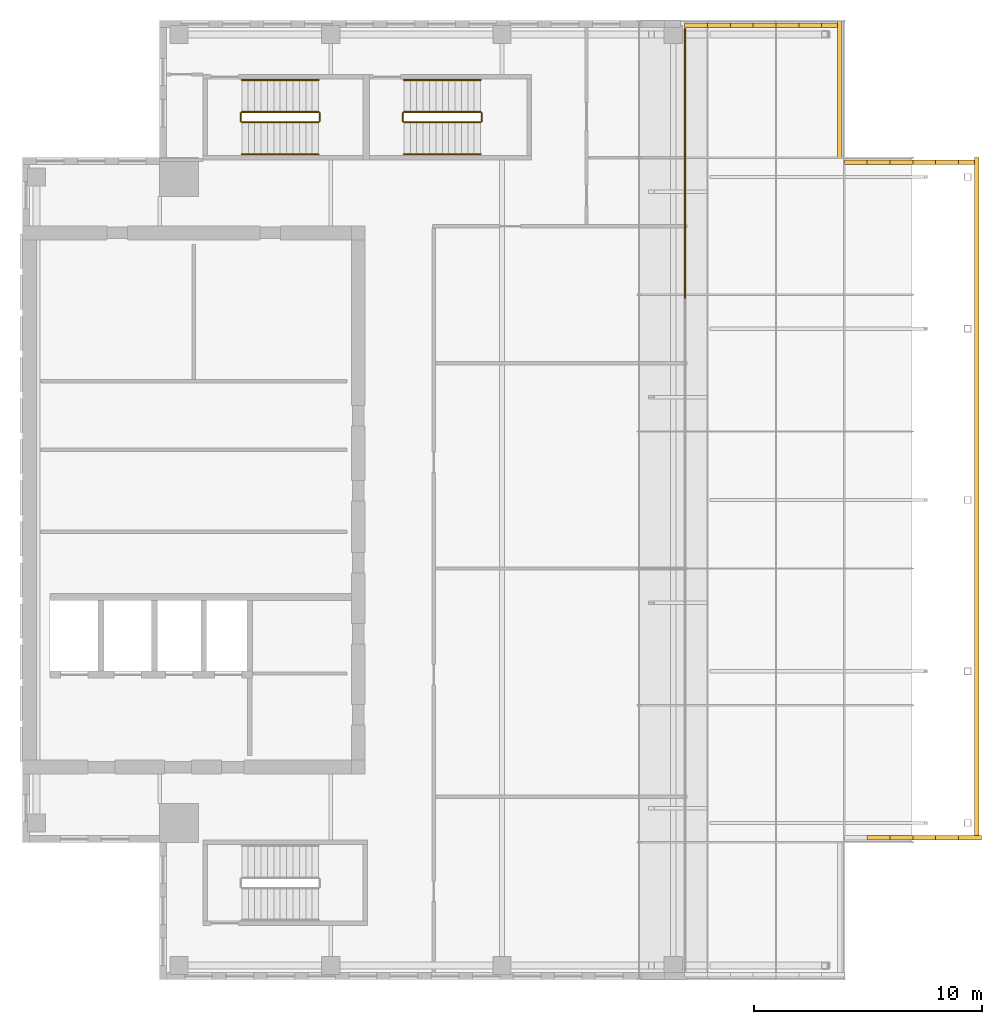
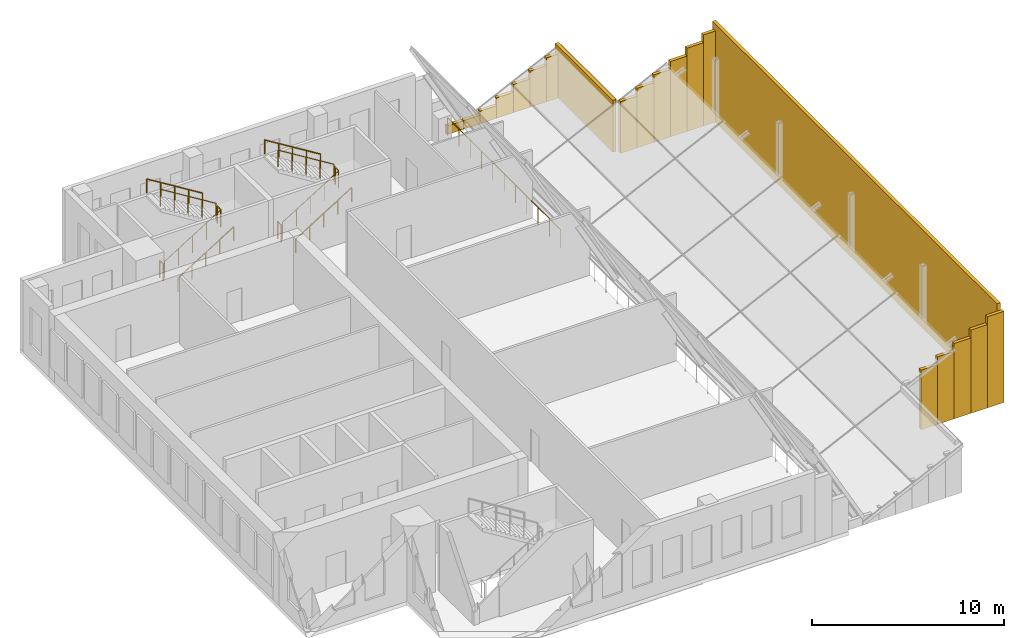
# One storey, part 11 of 11: 20 coverings, 14 railings.
"""IFC4 building model written with IfcOpenShell, lengths in metres."""

from ifc_helpers import new_model, si_unit, direction, frame, origin, origin_2d, place, context, subcontext, project, spatial, polyline, circle, outline, extrude, source, transform, mapped, material, layer, layer_set, type_object, element, save


model = new_model("IFC4")

# Units and contexts
model_context = context("Model", 3, precision=1e-05, world=origin(), true_north=direction((0.0, 1.0)))
body_context = subcontext(model_context, "Body", "Model", "MODEL_VIEW")
ifc_project = project(units=[si_unit("LENGTHUNIT", "METRE"), si_unit("AREAUNIT", "SQUARE_METRE"), si_unit("VOLUMEUNIT", "CUBIC_METRE"), si_unit("PLANEANGLEUNIT", "RADIAN"), si_unit("MASSUNIT", "GRAM", prefix="KILO")], contexts=[model_context])

# Site, building, storey
site_placement = place(None, origin())
site = spatial("IfcSite", under=ifc_project, at=site_placement, CompositionType="ELEMENT")
building_placement = place(site_placement, origin())
building = spatial("IfcBuilding", under=site, at=building_placement, Name="Khomas Fold Tower", CompositionType="ELEMENT")
storey_placement = place(building_placement, frame((0.0, 0.0, 334.699951171875)))
storey = spatial("IfcBuildingStorey", under=building, at=storey_placement, Name="C2", CompositionType="ELEMENT", Elevation=334.699951171875)

# Coverings
ifc_material_1 = material(Name="Natural stone cladding", Category="masonry")
ifc_layer = layer(ifc_material_1, 0.031982421875)
ifc_layer_set = layer_set([ifc_layer], Name="Natural stone cladding")
covering_type = type_object("IfcCoveringType", Name="Crown spandrel panel CR-SP", PredefinedType="CLADDING", material=ifc_layer_set)
covering_1_placement = place(storey_placement, frame((43.0, 12.10009765625, 0.0), z_axis=(0.0, -1.0, 0.0), x_axis=(1.0, 0.0, 0.0)))
element("IfcCovering", 1, at=covering_1_placement, inside=storey, type_object=covering_type, Name="Crown eave fascia", PredefinedType="CLADDING", context=body_context, shape_type="SweptSolid", body=[
    extrude(outline(polyline([(0.0, 0.0), (1.0, 0.0), (1.0, 3.800048828125), (0.0, 3.800048828125), (0.0, 0.0)])), origin(), (0.0, 0.0, -1.0), 0.199951171875),
])
covering_2_placement = place(storey_placement, frame((44.0, 12.10009765625, 0.0), z_axis=(0.0, -1.0, 0.0), x_axis=(1.0, 0.0, 0.0)))
element("IfcCovering", 2, at=covering_2_placement, inside=storey, type_object=covering_type, Name="Crown eave fascia", PredefinedType="CLADDING", context=body_context, shape_type="SweptSolid", body=[
    extrude(outline(polyline([(0.0, 0.0), (1.0, 0.0), (1.0, 4.300048828125), (0.0, 4.300048828125), (0.0, 0.0)])), origin(), (0.0, 0.0, -1.0), 0.199951171875),
])
covering_3_placement = place(storey_placement, frame((45.0, 12.10009765625, 0.0), z_axis=(0.0, -1.0, 0.0), x_axis=(1.0, 0.0, 0.0)))
element("IfcCovering", 3, at=covering_3_placement, inside=storey, type_object=covering_type, Name="Crown eave fascia", PredefinedType="CLADDING", context=body_context, shape_type="SweptSolid", body=[
    extrude(outline(polyline([(0.0, 0.0), (1.0, 0.0), (1.0, 4.800048828125), (0.0, 4.800048828125), (0.0, 0.0)])), origin(), (0.0, 0.0, -1.0), 0.199951171875),
])
covering_4_placement = place(storey_placement, frame((46.0, 12.10009765625, 0.0), z_axis=(0.0, -1.0, 0.0), x_axis=(1.0, 0.0, 0.0)))
element("IfcCovering", 4, at=covering_4_placement, inside=storey, type_object=covering_type, Name="Crown eave fascia", PredefinedType="CLADDING", context=body_context, shape_type="SweptSolid", body=[
    extrude(outline(polyline([(0.0, 0.0), (1.0, 0.0), (1.0, 5.300048828125), (0.0, 5.300048828125), (0.0, 0.0)])), origin(), (0.0, 0.0, -1.0), 0.199951171875),
])
covering_5_placement = place(storey_placement, frame((47.0, 12.10009765625, 0.0), z_axis=(0.0, -1.0, 0.0), x_axis=(1.0, 0.0, 0.0)))
element("IfcCovering", 5, at=covering_5_placement, inside=storey, type_object=covering_type, Name="Crown eave fascia", PredefinedType="CLADDING", context=body_context, shape_type="SweptSolid", body=[
    extrude(outline(polyline([(0.0, 0.0), (1.0, 0.0), (1.0, 5.800048828125), (0.0, 5.800048828125), (0.0, 0.0)])), origin(), (0.0, 0.0, -1.0), 0.199951171875),
])
covering_6_placement = place(storey_placement, frame((47.89990234375, 12.300048828125, 0.0), z_axis=(1.0, 0.0, 0.0), x_axis=(0.0, 1.0, 0.0)))
element("IfcCovering", 6, at=covering_6_placement, inside=storey, type_object=covering_type, Name="Crown eave fascia", PredefinedType="CLADDING", context=body_context, shape_type="SweptSolid", body=[
    extrude(outline(polyline([(0.0, 0.0), (29.699951171875, 0.0), (29.699951171875, 6.252197265625), (0.0, 6.252197265625), (0.0, 0.0)])), origin(), (0.0, 0.0, -1.0), 0.199951171875),
])
covering_7_placement = place(storey_placement, frame((47.699951171875, 41.89990234375, 0.0), z_axis=(0.0, 1.0, 0.0), x_axis=(-1.0, 0.0, 0.0)))
element("IfcCovering", 7, at=covering_7_placement, inside=storey, type_object=covering_type, Name="Crown eave fascia", PredefinedType="CLADDING", context=body_context, shape_type="SweptSolid", body=[
    extrude(outline(polyline([(0.0, 0.0), (0.699951171875, 0.0), (0.699951171875, 5.800048828125), (0.0, 5.800048828125), (0.0, 0.0)])), origin(), (0.0, 0.0, -1.0), 0.199951171875),
])
covering_8_placement = place(storey_placement, frame((47.0, 41.89990234375, 0.0), z_axis=(0.0, 1.0, 0.0), x_axis=(-1.0, 0.0, 0.0)))
element("IfcCovering", 8, at=covering_8_placement, inside=storey, type_object=covering_type, Name="Crown eave fascia", PredefinedType="CLADDING", context=body_context, shape_type="SweptSolid", body=[
    extrude(outline(polyline([(0.0, 0.0), (1.0, 0.0), (1.0, 5.300048828125), (0.0, 5.300048828125), (0.0, 0.0)])), origin(), (0.0, 0.0, -1.0), 0.199951171875),
])
covering_9_placement = place(storey_placement, frame((46.0, 41.89990234375, 0.0), z_axis=(0.0, 1.0, 0.0), x_axis=(-1.0, 0.0, 0.0)))
element("IfcCovering", 9, at=covering_9_placement, inside=storey, type_object=covering_type, Name="Crown eave fascia", PredefinedType="CLADDING", context=body_context, shape_type="SweptSolid", body=[
    extrude(outline(polyline([(0.0, 0.0), (1.0, 0.0), (1.0, 4.800048828125), (0.0, 4.800048828125), (0.0, 0.0)])), origin(), (0.0, 0.0, -1.0), 0.199951171875),
])
covering_10_placement = place(storey_placement, frame((45.0, 41.89990234375, 0.0), z_axis=(0.0, 1.0, 0.0), x_axis=(-1.0, 0.0, 0.0)))
element("IfcCovering", 10, at=covering_10_placement, inside=storey, type_object=covering_type, Name="Crown eave fascia", PredefinedType="CLADDING", context=body_context, shape_type="SweptSolid", body=[
    extrude(outline(polyline([(0.0, 0.0), (1.0, 0.0), (1.0, 4.300048828125), (0.0, 4.300048828125), (0.0, 0.0)])), origin(), (0.0, 0.0, -1.0), 0.199951171875),
])
covering_11_placement = place(storey_placement, frame((44.0, 41.89990234375, 0.0), z_axis=(0.0, 1.0, 0.0), x_axis=(-1.0, 0.0, 0.0)))
element("IfcCovering", 11, at=covering_11_placement, inside=storey, type_object=covering_type, Name="Crown eave fascia", PredefinedType="CLADDING", context=body_context, shape_type="SweptSolid", body=[
    extrude(outline(polyline([(0.0, 0.0), (1.0, 0.0), (1.0, 3.800048828125), (0.0, 3.800048828125), (0.0, 0.0)])), origin(), (0.0, 0.0, -1.0), 0.199951171875),
])
covering_12_placement = place(storey_placement, frame((43.0, 41.89990234375, 0.0), z_axis=(0.0, 1.0, 0.0), x_axis=(-1.0, 0.0, 0.0)))
element("IfcCovering", 12, at=covering_12_placement, inside=storey, type_object=covering_type, Name="Crown eave fascia", PredefinedType="CLADDING", context=body_context, shape_type="SweptSolid", body=[
    extrude(outline(polyline([(0.0, 0.0), (1.0, 0.0), (1.0, 3.300048828125), (0.0, 3.300048828125), (0.0, 0.0)])), origin(), (0.0, 0.0, -1.0), 0.199951171875),
])
covering_13_placement = place(storey_placement, frame((41.89990234375, 42.0, 0.0), z_axis=(1.0, 0.0, 0.0), x_axis=(0.0, 1.0, 0.0)))
element("IfcCovering", 13, at=covering_13_placement, inside=storey, type_object=covering_type, Name="Crown eave fascia", PredefinedType="CLADDING", context=body_context, shape_type="SweptSolid", body=[
    extrude(outline(polyline([(0.0, 0.0), (6.0, 0.0), (6.0, 3.300048828125), (0.0, 3.300048828125), (0.0, 0.0)])), origin(), (0.0, 0.0, -1.0), 0.199951171875),
])
covering_14_placement = place(storey_placement, frame((41.699951171875, 47.89990234375, 0.0), z_axis=(0.0, 1.0, 0.0), x_axis=(-1.0, 0.0, 0.0)))
element("IfcCovering", 14, at=covering_14_placement, inside=storey, type_object=covering_type, Name="Crown eave fascia", PredefinedType="CLADDING", context=body_context, shape_type="SweptSolid", body=[
    extrude(outline(polyline([(0.0, 0.0), (0.699951171875, 0.0), (0.699951171875, 2.800048828125), (0.0, 2.800048828125), (0.0, 0.0)])), origin(), (0.0, 0.0, -1.0), 0.199951171875),
])
covering_15_placement = place(storey_placement, frame((41.0, 47.89990234375, 0.0), z_axis=(0.0, 1.0, 0.0), x_axis=(-1.0, 0.0, 0.0)))
element("IfcCovering", 15, at=covering_15_placement, inside=storey, type_object=covering_type, Name="Crown eave fascia", PredefinedType="CLADDING", context=body_context, shape_type="SweptSolid", body=[
    extrude(outline(polyline([(0.0, 0.0), (1.0, 0.0), (1.0, 2.300048828125), (0.0, 2.300048828125), (0.0, 0.0)])), origin(), (0.0, 0.0, -1.0), 0.199951171875),
])
covering_16_placement = place(storey_placement, frame((40.0, 47.89990234375, 0.0), z_axis=(0.0, 1.0, 0.0), x_axis=(-1.0, 0.0, 0.0)))
element("IfcCovering", 16, at=covering_16_placement, inside=storey, type_object=covering_type, Name="Crown eave fascia", PredefinedType="CLADDING", context=body_context, shape_type="SweptSolid", body=[
    extrude(outline(polyline([(0.0, 0.0), (1.0, 0.0), (1.0, 1.800048828125), (0.0, 1.800048828125), (0.0, 0.0)])), origin(), (0.0, 0.0, -1.0), 0.199951171875),
])
covering_17_placement = place(storey_placement, frame((39.0, 47.89990234375, 0.0), z_axis=(0.0, 1.0, 0.0), x_axis=(-1.0, 0.0, 0.0)))
element("IfcCovering", 17, at=covering_17_placement, inside=storey, type_object=covering_type, Name="Crown eave fascia", PredefinedType="CLADDING", context=body_context, shape_type="SweptSolid", body=[
    extrude(outline(polyline([(0.0, 0.0), (1.0, 0.0), (1.0, 1.300048828125), (0.0, 1.300048828125), (0.0, 0.0)])), origin(), (0.0, 0.0, -1.0), 0.199951171875),
])
covering_18_placement = place(storey_placement, frame((38.0, 47.89990234375, 0.0), z_axis=(0.0, 1.0, 0.0), x_axis=(-1.0, 0.0, 0.0)))
element("IfcCovering", 18, at=covering_18_placement, inside=storey, type_object=covering_type, Name="Crown eave fascia", PredefinedType="CLADDING", context=body_context, shape_type="SweptSolid", body=[
    extrude(outline(polyline([(0.0, 0.0), (1.0, 0.0), (1.0, 0.800048828125), (0.0, 0.800048828125), (0.0, 0.0)])), origin(), (0.0, 0.0, -1.0), 0.199951171875),
])
for number, where, z_axis, x_axis, name in (
    (19, (37.0, 47.89990234375, 0.0), (0.0, 1.0, 0.0), (-1.0, 0.0, 0.0), "Crown eave fascia"),
    (20, (36.0, 47.89990234375, 0.0), (0.0, 1.0, 0.0), (-1.0, 0.0, 0.0), "Crown eave fascia"),
):
    element("IfcCovering", number, at=place(storey_placement, frame(where, z_axis=z_axis, x_axis=x_axis)), inside=storey, type_object=covering_type, Name=name, PredefinedType="CLADDING", context=body_context, shape_type="SweptSolid", body=[
        extrude(outline(polyline([(0.0, 0.0), (1.0, 0.0), (1.0, 0.550048828125), (0.0, 0.550048828125), (0.0, 0.0)])), origin(), (0.0, 0.0, -1.0), 0.199951171875),
    ])

# Railings
ifc_material_2 = material(Name="Powder-coated steel", Category="steel")
railing_type_1 = type_object("IfcRailingType", Name="Balcony guard", PredefinedType="GUARDRAIL", material=ifc_material_2)
shared_shape_1 = source(origin(), body_context, "Body", "SweptSolid", [
    extrude(circle(Radius=0.02490234375, at=origin_2d()), frame((0.0, 0.0, 1.125), z_axis=(0.0, 1.0, 0.0), x_axis=(-1.0, 0.0, 0.0)), (0.0, 0.0, 1.0), 5.89990234375),
    extrude(circle(Radius=0.02001953125, at=origin_2d()), origin(), (0.0, 0.0, 1.0), 1.099853515625),
    extrude(circle(Radius=0.02001953125, at=origin_2d()), frame((0.0, 1.179931640625, 0.0)), (0.0, 0.0, 1.0), 1.099853515625),
    extrude(circle(Radius=0.02001953125, at=origin_2d()), frame((0.0, 2.35986328125, 0.0)), (0.0, 0.0, 1.0), 1.099853515625),
    extrude(circle(Radius=0.02001953125, at=origin_2d()), frame((0.0, 3.5400390625, 0.0)), (0.0, 0.0, 1.0), 1.099853515625),
    extrude(circle(Radius=0.02001953125, at=origin_2d()), frame((0.0, 4.719970703125, 0.0)), (0.0, 0.0, 1.0), 1.099853515625),
    extrude(circle(Radius=0.02001953125, at=origin_2d()), frame((0.0, 5.89990234375, 0.0)), (0.0, 0.0, 1.0), 1.099853515625),
])
for number, where, name in (
    (21, (35.01513671875, 35.85009765625, 0.0), "GUARD 231"),
    (22, (35.01513671875, 41.75, 0.0), "GUARD 231"),
):
    element("IfcRailing", number, at=place(storey_placement, frame(where)), inside=storey, type_object=railing_type_1, Name=name, PredefinedType="GUARDRAIL", context=body_context, shape_type="MappedRepresentation", body=[
        mapped(shared_shape_1, transform((0.0, 0.0, 0.0))),
    ])
ifc_material_3 = material(Name="Steel balustrade", Category="steel")
railing_type_2 = type_object("IfcRailingType", Name="Stair guard", PredefinedType="GUARDRAIL", material=ifc_material_3)
shared_shape_2 = source(origin(), body_context, "Body", "SweptSolid", [
    extrude(circle(Radius=0.02392578125, at=origin_2d()), frame((0.0, 0.0, 1.076171875), z_axis=(0.850606129759, 0.0, 0.525803396734), x_axis=(0.0, 1.0, 0.0)), (0.0, 0.0, 1.0), 3.949951171875),
    extrude(circle(Radius=0.02099609375, at=origin_2d()), origin(), (0.0, 0.0, 1.0), 1.052001953125),
    extrude(circle(Radius=0.02099609375, at=origin_2d()), frame((0.83984375, 0.0, 0.519287109375)), (0.0, 0.0, 1.0), 1.052001953125),
    extrude(circle(Radius=0.02099609375, at=origin_2d()), frame((1.679931640625, 0.0, 1.03857421875)), (0.0, 0.0, 1.0), 1.052001953125),
    extrude(circle(Radius=0.02099609375, at=origin_2d()), frame((2.52001953125, 0.0, 1.5576171875)), (0.0, 0.0, 1.0), 1.052001953125),
    extrude(circle(Radius=0.02099609375, at=origin_2d()), frame((3.35986328125, 0.0, 2.076904296875)), (0.0, 0.0, 1.0), 1.052001953125),
])
railing_1_placement = place(storey_placement, frame((15.60009765625, 43.550048828125, 0.173095703125)))
element("IfcRailing", 23, at=railing_1_placement, inside=storey, type_object=railing_type_2, Name="C2 ST1 stair guard 1", PredefinedType="GUARDRAIL", context=body_context, shape_type="MappedRepresentation", body=[
    mapped(shared_shape_2, transform((0.0, 0.0, 0.0))),
])
shared_shape_3 = source(origin(), body_context, "Body", "SweptSolid", [
    extrude(circle(Radius=0.02392578125, at=origin_2d()), frame((0.0, 0.0, 1.076171875), z_axis=(0.0, 1.0, 0.0), x_axis=(-1.0, 0.0, 0.0)), (0.0, 0.0, 1.0), 0.349853515625),
    extrude(circle(Radius=0.02099609375, at=origin_2d()), origin(), (0.0, 0.0, 1.0), 1.052001953125),
    extrude(circle(Radius=0.02099609375, at=origin_2d()), frame((0.0, 0.349853515625, 0.0)), (0.0, 0.0, 1.0), 1.052001953125),
])
for number, where, name in (
    (24, (19.010009765625, 43.60009765625, 2.25), "C2 ST1 stair guard 2"),
    (25, (15.550048828125, 43.60009765625, 0.0), "C2 ST1 stair guard 4"),
    (26, (26.110107421875, 43.60009765625, 2.25), "C2 ST3 stair guard 2"),
    (27, (22.64990234375, 43.60009765625, 0.0), "C2 ST3 stair guard 4"),
):
    element("IfcRailing", number, at=place(storey_placement, frame(where)), inside=storey, type_object=railing_type_2, Name=name, PredefinedType="GUARDRAIL", context=body_context, shape_type="MappedRepresentation", body=[
        mapped(shared_shape_3, transform((0.0, 0.0, 0.0))),
    ])
shared_shape_4 = source(origin(), body_context, "Body", "SweptSolid", [
    extrude(circle(Radius=0.02392578125, at=origin_2d()), frame((0.0, 0.0, 1.076171875), z_axis=(-0.850606129759, 0.0, 0.525803396734), x_axis=(0.0, -1.0, 0.0)), (0.0, 0.0, 1.0), 3.949951171875),
    extrude(circle(Radius=0.02099609375, at=origin_2d()), origin(), (0.0, 0.0, 1.0), 1.052001953125),
    extrude(circle(Radius=0.02099609375, at=origin_2d()), frame((-0.83984375, 0.0, 0.519287109375)), (0.0, 0.0, 1.0), 1.052001953125),
    extrude(circle(Radius=0.02099609375, at=origin_2d()), frame((-1.679931640625, 0.0, 1.03857421875)), (0.0, 0.0, 1.0), 1.052001953125),
    extrude(circle(Radius=0.02099609375, at=origin_2d()), frame((-2.52001953125, 0.0, 1.5576171875)), (0.0, 0.0, 1.0), 1.052001953125),
    extrude(circle(Radius=0.02099609375, at=origin_2d()), frame((-3.35986328125, 0.0, 2.076904296875)), (0.0, 0.0, 1.0), 1.052001953125),
])
railing_2_placement = place(storey_placement, frame((18.9599609375, 44.0, 2.423095703125)))
element("IfcRailing", 28, at=railing_2_placement, inside=storey, type_object=railing_type_2, Name="C2 ST1 stair guard 3", PredefinedType="GUARDRAIL", context=body_context, shape_type="MappedRepresentation", body=[
    mapped(shared_shape_4, transform((0.0, 0.0, 0.0))),
])
ifc_material_4 = material(Name="Steel handrail", Category="steel")
railing_type_3 = type_object("IfcRailingType", Name="Stair handrail", PredefinedType="HANDRAIL", material=ifc_material_4)
shared_shape_5 = source(origin(), body_context, "Body", "SweptSolid", [
    extrude(circle(Radius=0.02392578125, at=origin_2d()), frame((0.0, 0.0, 0.8759765625), z_axis=(0.850606129759, 0.0, 0.525803396734), x_axis=(0.0, 1.0, 0.0)), (0.0, 0.0, 1.0), 3.949951171875),
    extrude(circle(Radius=0.02099609375, at=origin_2d()), origin(), (0.0, 0.0, 1.0), 0.851806640625),
    extrude(circle(Radius=0.02099609375, at=origin_2d()), frame((0.83984375, 0.0, 0.519287109375)), (0.0, 0.0, 1.0), 0.851806640625),
    extrude(circle(Radius=0.02099609375, at=origin_2d()), frame((1.679931640625, 0.0, 1.03857421875)), (0.0, 0.0, 1.0), 0.851806640625),
    extrude(circle(Radius=0.02099609375, at=origin_2d()), frame((2.52001953125, 0.0, 1.5576171875)), (0.0, 0.0, 1.0), 0.851806640625),
    extrude(circle(Radius=0.02099609375, at=origin_2d()), frame((3.35986328125, 0.0, 2.076904296875)), (0.0, 0.0, 1.0), 0.851806640625),
])
railing_3_placement = place(storey_placement, frame((15.60009765625, 42.14990234375, 0.173095703125)))
element("IfcRailing", 29, at=railing_3_placement, inside=storey, type_object=railing_type_3, Name="C2 ST1 stair handrail 1", PredefinedType="HANDRAIL", context=body_context, shape_type="MappedRepresentation", body=[
    mapped(shared_shape_5, transform((0.0, 0.0, 0.0))),
])
shared_shape_6 = source(origin(), body_context, "Body", "SweptSolid", [
    extrude(circle(Radius=0.02392578125, at=origin_2d()), frame((0.0, 0.0, 0.8759765625), z_axis=(-0.850606129759, 0.0, 0.525803396734), x_axis=(0.0, -1.0, 0.0)), (0.0, 0.0, 1.0), 3.949951171875),
    extrude(circle(Radius=0.02099609375, at=origin_2d()), origin(), (0.0, 0.0, 1.0), 0.851806640625),
    extrude(circle(Radius=0.02099609375, at=origin_2d()), frame((-0.83984375, 0.0, 0.519287109375)), (0.0, 0.0, 1.0), 0.851806640625),
    extrude(circle(Radius=0.02099609375, at=origin_2d()), frame((-1.679931640625, 0.0, 1.03857421875)), (0.0, 0.0, 1.0), 0.851806640625),
    extrude(circle(Radius=0.02099609375, at=origin_2d()), frame((-2.52001953125, 0.0, 1.5576171875)), (0.0, 0.0, 1.0), 0.851806640625),
    extrude(circle(Radius=0.02099609375, at=origin_2d()), frame((-3.35986328125, 0.0, 2.076904296875)), (0.0, 0.0, 1.0), 0.851806640625),
])
railing_4_placement = place(storey_placement, frame((18.9599609375, 45.39990234375, 2.423095703125)))
element("IfcRailing", 30, at=railing_4_placement, inside=storey, type_object=railing_type_3, Name="C2 ST1 stair handrail 2", PredefinedType="HANDRAIL", context=body_context, shape_type="MappedRepresentation", body=[
    mapped(shared_shape_6, transform((0.0, 0.0, 0.0))),
])
shared_shape_7 = source(origin(), body_context, "Body", "SweptSolid", [
    extrude(circle(Radius=0.02392578125, at=origin_2d()), frame((0.0, 0.0, 1.076171875), z_axis=(0.850623216509, 0.0, 0.525775754039), x_axis=(0.0, 1.0, 0.0)), (0.0, 0.0, 1.0), 3.9501953125),
    extrude(circle(Radius=0.02099609375, at=origin_2d()), origin(), (0.0, 0.0, 1.0), 1.052001953125),
    extrude(circle(Radius=0.02099609375, at=origin_2d()), frame((0.840087890625, 0.0, 0.519287109375)), (0.0, 0.0, 1.0), 1.052001953125),
    extrude(circle(Radius=0.02099609375, at=origin_2d()), frame((1.68017578125, 0.0, 1.03857421875)), (0.0, 0.0, 1.0), 1.052001953125),
    extrude(circle(Radius=0.02099609375, at=origin_2d()), frame((2.52001953125, 0.0, 1.5576171875)), (0.0, 0.0, 1.0), 1.052001953125),
    extrude(circle(Radius=0.02099609375, at=origin_2d()), frame((3.360107421875, 0.0, 2.076904296875)), (0.0, 0.0, 1.0), 1.052001953125),
])
railing_5_placement = place(storey_placement, frame((22.699951171875, 43.550048828125, 0.173095703125)))
element("IfcRailing", 31, at=railing_5_placement, inside=storey, type_object=railing_type_2, Name="C2 ST3 stair guard 1", PredefinedType="GUARDRAIL", context=body_context, shape_type="MappedRepresentation", body=[
    mapped(shared_shape_7, transform((0.0, 0.0, 0.0))),
])
shared_shape_8 = source(origin(), body_context, "Body", "SweptSolid", [
    extrude(circle(Radius=0.02392578125, at=origin_2d()), frame((0.0, 0.0, 1.076171875), z_axis=(-0.850623216509, 0.0, 0.525775754039), x_axis=(0.0, -1.0, 0.0)), (0.0, 0.0, 1.0), 3.9501953125),
    extrude(circle(Radius=0.02099609375, at=origin_2d()), origin(), (0.0, 0.0, 1.0), 1.052001953125),
    extrude(circle(Radius=0.02099609375, at=origin_2d()), frame((-0.840087890625, 0.0, 0.519287109375)), (0.0, 0.0, 1.0), 1.052001953125),
    extrude(circle(Radius=0.02099609375, at=origin_2d()), frame((-1.68017578125, 0.0, 1.03857421875)), (0.0, 0.0, 1.0), 1.052001953125),
    extrude(circle(Radius=0.02099609375, at=origin_2d()), frame((-2.52001953125, 0.0, 1.5576171875)), (0.0, 0.0, 1.0), 1.052001953125),
    extrude(circle(Radius=0.02099609375, at=origin_2d()), frame((-3.360107421875, 0.0, 2.076904296875)), (0.0, 0.0, 1.0), 1.052001953125),
])
railing_6_placement = place(storey_placement, frame((26.06005859375, 44.0, 2.423095703125)))
element("IfcRailing", 32, at=railing_6_placement, inside=storey, type_object=railing_type_2, Name="C2 ST3 stair guard 3", PredefinedType="GUARDRAIL", context=body_context, shape_type="MappedRepresentation", body=[
    mapped(shared_shape_8, transform((0.0, 0.0, 0.0))),
])
shared_shape_9 = source(origin(), body_context, "Body", "SweptSolid", [
    extrude(circle(Radius=0.02392578125, at=origin_2d()), frame((0.0, 0.0, 0.8759765625), z_axis=(0.850623216509, 0.0, 0.525775754039), x_axis=(0.0, 1.0, 0.0)), (0.0, 0.0, 1.0), 3.9501953125),
    extrude(circle(Radius=0.02099609375, at=origin_2d()), origin(), (0.0, 0.0, 1.0), 0.851806640625),
    extrude(circle(Radius=0.02099609375, at=origin_2d()), frame((0.840087890625, 0.0, 0.519287109375)), (0.0, 0.0, 1.0), 0.851806640625),
    extrude(circle(Radius=0.02099609375, at=origin_2d()), frame((1.68017578125, 0.0, 1.03857421875)), (0.0, 0.0, 1.0), 0.851806640625),
    extrude(circle(Radius=0.02099609375, at=origin_2d()), frame((2.52001953125, 0.0, 1.5576171875)), (0.0, 0.0, 1.0), 0.851806640625),
    extrude(circle(Radius=0.02099609375, at=origin_2d()), frame((3.360107421875, 0.0, 2.076904296875)), (0.0, 0.0, 1.0), 0.851806640625),
])
railing_7_placement = place(storey_placement, frame((22.699951171875, 42.14990234375, 0.173095703125)))
element("IfcRailing", 33, at=railing_7_placement, inside=storey, type_object=railing_type_3, Name="C2 ST3 stair handrail 1", PredefinedType="HANDRAIL", context=body_context, shape_type="MappedRepresentation", body=[
    mapped(shared_shape_9, transform((0.0, 0.0, 0.0))),
])
shared_shape_10 = source(origin(), body_context, "Body", "SweptSolid", [
    extrude(circle(Radius=0.02392578125, at=origin_2d()), frame((0.0, 0.0, 0.8759765625), z_axis=(-0.850623216509, 0.0, 0.525775754039), x_axis=(0.0, -1.0, 0.0)), (0.0, 0.0, 1.0), 3.9501953125),
    extrude(circle(Radius=0.02099609375, at=origin_2d()), origin(), (0.0, 0.0, 1.0), 0.851806640625),
    extrude(circle(Radius=0.02099609375, at=origin_2d()), frame((-0.840087890625, 0.0, 0.519287109375)), (0.0, 0.0, 1.0), 0.851806640625),
    extrude(circle(Radius=0.02099609375, at=origin_2d()), frame((-1.68017578125, 0.0, 1.03857421875)), (0.0, 0.0, 1.0), 0.851806640625),
    extrude(circle(Radius=0.02099609375, at=origin_2d()), frame((-2.52001953125, 0.0, 1.5576171875)), (0.0, 0.0, 1.0), 0.851806640625),
    extrude(circle(Radius=0.02099609375, at=origin_2d()), frame((-3.360107421875, 0.0, 2.076904296875)), (0.0, 0.0, 1.0), 0.851806640625),
])
railing_8_placement = place(storey_placement, frame((26.06005859375, 45.39990234375, 2.423095703125)))
element("IfcRailing", 34, at=railing_8_placement, inside=storey, type_object=railing_type_3, Name="C2 ST3 stair handrail 2", PredefinedType="HANDRAIL", context=body_context, shape_type="MappedRepresentation", body=[
    mapped(shared_shape_10, transform((0.0, 0.0, 0.0))),
])

save(model, "model.ifc")
